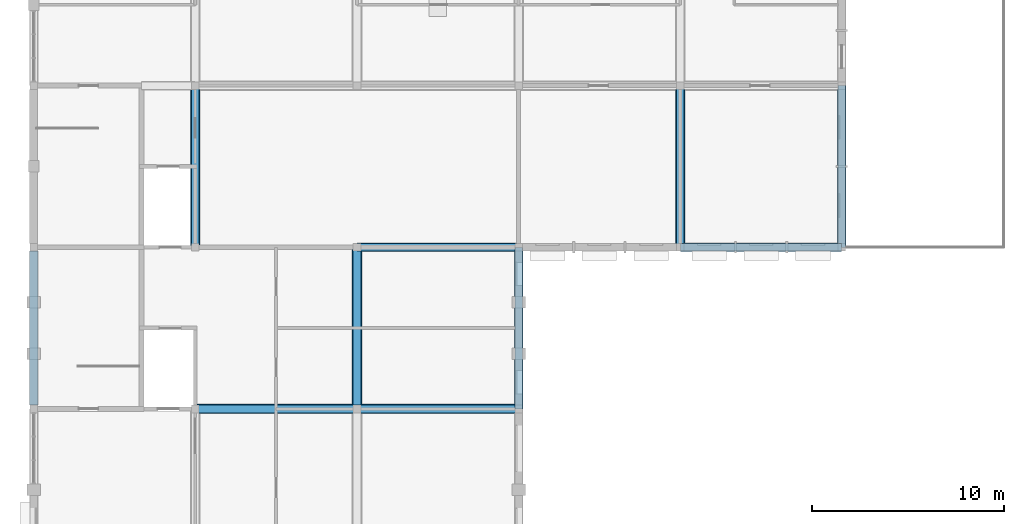
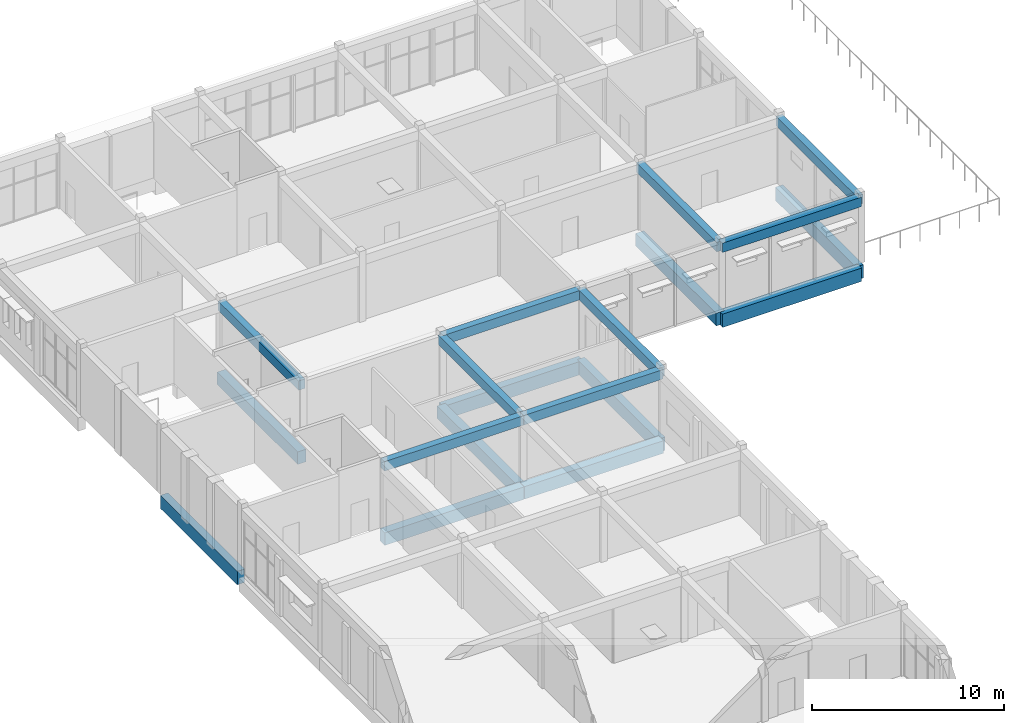
# One storey, part 4 of 15: 19 beams.
"""IFC4 building model written with IfcOpenShell, lengths in metres."""

from ifc_helpers import new_model, si_unit, direction, frame, origin, origin_2d, place, context, subcontext, project, spatial, rectangle, extrude, material, material_profile, profile_set, type_object, element, save


model = new_model("IFC4")

# Units and contexts
model_context = context("Model", 3, precision=1e-05, world=origin(), true_north=direction((0.0, 1.0)))
body_context = subcontext(model_context, "Body", "Model", "MODEL_VIEW")
ifc_project = project(units=[si_unit("LENGTHUNIT", "METRE"), si_unit("AREAUNIT", "SQUARE_METRE"), si_unit("VOLUMEUNIT", "CUBIC_METRE"), si_unit("PLANEANGLEUNIT", "RADIAN"), si_unit("MASSUNIT", "GRAM", prefix="KILO")], contexts=[model_context])

# Site, building, storey
site_placement = place(None, origin())
site = spatial("IfcSite", under=ifc_project, at=site_placement, CompositionType="ELEMENT")
building_placement = place(site_placement, origin())
building = spatial("IfcBuilding", under=site, at=building_placement, Name="Fescue Hill Polytechnic", CompositionType="ELEMENT")
storey_placement = place(building_placement, frame((0.0, 0.0, 31.5)))
storey = spatial("IfcBuildingStorey", under=building, at=storey_placement, Name="L07", CompositionType="ELEMENT", Elevation=31.5)

# Beams
ifc_material = material(Name="Concrete 35 MPa", Category="concrete")
ifc_material_profile_1 = material_profile(ifc_material, rectangle(XDim=0.39990234375, YDim=0.60009765625, at=origin_2d()), Name="RC 400x600")
ifc_profile_set_1 = profile_set([ifc_material_profile_1], Name="Concrete 35 MPa")
beam_type_1 = type_object("IfcBeamType", Name="Beam RC 400x600", PredefinedType="BEAM", material=ifc_profile_set_1)
beam_1_placement = place(storey_placement, frame((8.39990234375, 109.199951171875, 3.89990234375), z_axis=(0.0, 1.0, 0.0), x_axis=(-1.0, 0.0, 0.0)))
element("IfcBeam", 1, at=beam_1_placement, inside=storey, type_object=beam_type_1, Name="BR-L07-0022", PredefinedType="BEAM", context=body_context, shape_type="SweptSolid", body=[
    extrude(rectangle(XDim=0.39990234375, YDim=0.60009765625, at=origin_2d()), origin(), (0.0, 0.0, 1.0), 8.400146484375),
])
beam_2_placement = place(storey_placement, frame((8.409912109375, 100.800048828125, 3.89990234375), z_axis=(1.0, 0.0, 0.0), x_axis=(0.0, 1.0, 0.0)))
element("IfcBeam", 2, at=beam_2_placement, inside=storey, type_object=beam_type_1, Name="BR-L07-0029", PredefinedType="BEAM", context=body_context, shape_type="SweptSolid", body=[
    extrude(rectangle(XDim=0.39990234375, YDim=0.60009765625, at=origin_2d()), origin(), (0.0, 0.0, 1.0), 8.380126953125),
])
for number, where, z_axis, x_axis, name in (
    (3, (16.800048828125, 100.800048828125, 3.89990234375), (0.0, 1.0, 0.0), (-1.0, 0.0, 0.0), "BR-L07-0038"),
    (4, (16.800048828125, 109.199951171875, 3.89990234375), (1.0, 0.0, 0.0), (0.0, 1.0, 0.0), "BR-L07-0039"),
):
    element("IfcBeam", number, at=place(storey_placement, frame(where, z_axis=z_axis, x_axis=x_axis)), inside=storey, type_object=beam_type_1, Name=name, PredefinedType="BEAM", context=body_context, shape_type="SweptSolid", body=[
        extrude(rectangle(XDim=0.39990234375, YDim=0.60009765625, at=origin_2d()), origin(), (0.0, 0.0, 1.0), 8.39990234375),
    ])
beam_3_placement = place(storey_placement, frame((16.81005859375, 100.800048828125, 3.89990234375), z_axis=(1.0, 0.0, 0.0), x_axis=(0.0, 1.0, 0.0)))
element("IfcBeam", 5, at=beam_3_placement, inside=storey, type_object=beam_type_1, Name="BR-L07-0048", PredefinedType="BEAM", context=body_context, shape_type="SweptSolid", body=[
    extrude(rectangle(XDim=0.39990234375, YDim=0.60009765625, at=origin_2d()), origin(), (0.0, 0.0, 1.0), 8.3798828125),
])
beam_4_placement = place(storey_placement, frame((25.199951171875, 100.800048828125, 3.89990234375), z_axis=(0.0, 1.0, 0.0), x_axis=(-1.0, 0.0, 0.0)))
element("IfcBeam", 6, at=beam_4_placement, inside=storey, type_object=beam_type_1, Name="BR-L07-0055", PredefinedType="BEAM", context=body_context, shape_type="SweptSolid", body=[
    extrude(rectangle(XDim=0.39990234375, YDim=0.60009765625, at=origin_2d()), origin(), (0.0, 0.0, 1.0), 8.39990234375),
])
beam_5_placement = place(storey_placement, frame((33.60009765625, 109.199951171875, 3.89990234375), z_axis=(0.0, 1.0, 0.0), x_axis=(-1.0, 0.0, 0.0)))
element("IfcBeam", 7, at=beam_5_placement, inside=storey, type_object=beam_type_1, Name="BR-L07-0061", PredefinedType="BEAM", context=body_context, shape_type="SweptSolid", body=[
    extrude(rectangle(XDim=0.39990234375, YDim=0.60009765625, at=origin_2d()), origin(), (0.0, 0.0, 1.0), 8.400146484375),
])
beam_6_placement = place(storey_placement, frame((33.610107421875, 109.199951171875, 3.89990234375), z_axis=(1.0, 0.0, 0.0), x_axis=(0.0, 1.0, 0.0)))
element("IfcBeam", 8, at=beam_6_placement, inside=storey, type_object=beam_type_1, Name="BR-L07-0064", PredefinedType="BEAM", context=body_context, shape_type="SweptSolid", body=[
    extrude(rectangle(XDim=0.39990234375, YDim=0.60009765625, at=origin_2d()), origin(), (0.0, 0.0, 1.0), 8.3798828125),
])
beam_7_placement = place(storey_placement, frame((42.0, 109.199951171875, 3.89990234375), z_axis=(0.0, 1.0, 0.0), x_axis=(-1.0, 0.0, 0.0)))
element("IfcBeam", 9, at=beam_7_placement, inside=storey, type_object=beam_type_1, Name="BR-L07-0068", PredefinedType="BEAM", context=body_context, shape_type="SweptSolid", body=[
    extrude(rectangle(XDim=0.39990234375, YDim=0.60009765625, at=origin_2d()), origin(), (0.0, 0.0, 1.0), 8.400146484375),
])
ifc_material_profile_2 = material_profile(ifc_material, rectangle(XDim=0.449951171875, YDim=0.85009765625, at=origin_2d()), Name="RC 450x850")
ifc_profile_set_2 = profile_set([ifc_material_profile_2], Name="Concrete 35 MPa")
beam_type_2 = type_object("IfcBeamType", Name="Beam RC 450x850", PredefinedType="BEAM", material=ifc_profile_set_2)
for number, where, z_axis, x_axis, name in (
    (10, (16.800048828125, 109.199951171875, -0.72509765625), (1.0, 0.0, 0.0), (0.0, 1.0, 0.0), "BM-L07-0039"),
    (11, (25.199951171875, 100.800048828125, -0.72509765625), (0.0, 1.0, 0.0), (-1.0, 0.0, 0.0), "BM-L07-0055"),
):
    element("IfcBeam", number, at=place(storey_placement, frame(where, z_axis=z_axis, x_axis=x_axis)), inside=storey, type_object=beam_type_2, Name=name, PredefinedType="BEAM", context=body_context, shape_type="SweptSolid", body=[
        extrude(rectangle(XDim=0.449951171875, YDim=0.85009765625, at=origin_2d()), origin(), (0.0, 0.0, 1.0), 8.39990234375),
    ])
beam_8_placement = place(storey_placement, frame((33.610107421875, 109.199951171875, -0.72509765625), z_axis=(1.0, 0.0, 0.0), x_axis=(0.0, 1.0, 0.0)))
element("IfcBeam", 12, at=beam_8_placement, inside=storey, type_object=beam_type_2, Name="BM-L07-0064", PredefinedType="BEAM", context=body_context, shape_type="SweptSolid", body=[
    extrude(rectangle(XDim=0.449951171875, YDim=0.85009765625, at=origin_2d()), origin(), (0.0, 0.0, 1.0), 8.3798828125),
])
beam_9_placement = place(storey_placement, frame((42.0, 109.199951171875, -0.72509765625), z_axis=(0.0, 1.0, 0.0), x_axis=(-1.0, 0.0, 0.0)))
element("IfcBeam", 13, at=beam_9_placement, inside=storey, type_object=beam_type_2, Name="BM-L07-0068", PredefinedType="BEAM", context=body_context, shape_type="SweptSolid", body=[
    extrude(rectangle(XDim=0.449951171875, YDim=0.85009765625, at=origin_2d()), origin(), (0.0, 0.0, 1.0), 8.400146484375),
])
beam_10_placement = place(storey_placement, frame((0.0, 101.0, -0.425048828125), z_axis=(0.0, 1.0, 0.0), x_axis=(-1.0, 0.0, 0.0)))
element("IfcBeam", 14, at=beam_10_placement, inside=storey, type_object=beam_type_2, Name="BM-L07-0070", PredefinedType="BEAM", context=body_context, shape_type="SweptSolid", body=[
    extrude(rectangle(XDim=0.449951171875, YDim=0.85009765625, at=origin_2d()), origin(), (0.0, 0.0, 1.0), 8.0),
])
ifc_material_profile_3 = material_profile(ifc_material, rectangle(XDim=0.5, YDim=0.800048828125, at=origin_2d()), Name="RC 500x800")
ifc_profile_set_3 = profile_set([ifc_material_profile_3], Name="Concrete 35 MPa")
beam_type_3 = type_object("IfcBeamType", Name="Beam RC 500x800", PredefinedType="BEAM", material=ifc_profile_set_3)
beam_11_placement = place(storey_placement, frame((8.39990234375, 109.199951171875, -0.699951171875), z_axis=(0.0, 1.0, 0.0), x_axis=(-1.0, 0.0, 0.0)))
element("IfcBeam", 15, at=beam_11_placement, inside=storey, type_object=beam_type_3, Name="BM-L07-0022", PredefinedType="BEAM", context=body_context, shape_type="SweptSolid", body=[
    extrude(rectangle(XDim=0.5, YDim=0.800048828125, at=origin_2d()), origin(), (0.0, 0.0, 1.0), 8.400146484375),
])
beam_12_placement = place(storey_placement, frame((8.409912109375, 100.800048828125, -0.699951171875), z_axis=(1.0, 0.0, 0.0), x_axis=(0.0, 1.0, 0.0)))
element("IfcBeam", 16, at=beam_12_placement, inside=storey, type_object=beam_type_3, Name="BM-L07-0029", PredefinedType="BEAM", context=body_context, shape_type="SweptSolid", body=[
    extrude(rectangle(XDim=0.5, YDim=0.800048828125, at=origin_2d()), origin(), (0.0, 0.0, 1.0), 8.380126953125),
])
beam_13_placement = place(storey_placement, frame((16.800048828125, 100.800048828125, -0.699951171875), z_axis=(0.0, 1.0, 0.0), x_axis=(-1.0, 0.0, 0.0)))
element("IfcBeam", 17, at=beam_13_placement, inside=storey, type_object=beam_type_3, Name="BM-L07-0038", PredefinedType="BEAM", context=body_context, shape_type="SweptSolid", body=[
    extrude(rectangle(XDim=0.5, YDim=0.800048828125, at=origin_2d()), origin(), (0.0, 0.0, 1.0), 8.39990234375),
])
beam_14_placement = place(storey_placement, frame((16.81005859375, 100.800048828125, -0.699951171875), z_axis=(1.0, 0.0, 0.0), x_axis=(0.0, 1.0, 0.0)))
element("IfcBeam", 18, at=beam_14_placement, inside=storey, type_object=beam_type_3, Name="BM-L07-0048", PredefinedType="BEAM", context=body_context, shape_type="SweptSolid", body=[
    extrude(rectangle(XDim=0.5, YDim=0.800048828125, at=origin_2d()), origin(), (0.0, 0.0, 1.0), 8.3798828125),
])
beam_15_placement = place(storey_placement, frame((33.60009765625, 109.199951171875, -0.699951171875), z_axis=(0.0, 1.0, 0.0), x_axis=(-1.0, 0.0, 0.0)))
element("IfcBeam", 19, at=beam_15_placement, inside=storey, type_object=beam_type_3, Name="BM-L07-0061", PredefinedType="BEAM", context=body_context, shape_type="SweptSolid", body=[
    extrude(rectangle(XDim=0.5, YDim=0.800048828125, at=origin_2d()), origin(), (0.0, 0.0, 1.0), 8.400146484375),
])

save(model, "model.ifc")
